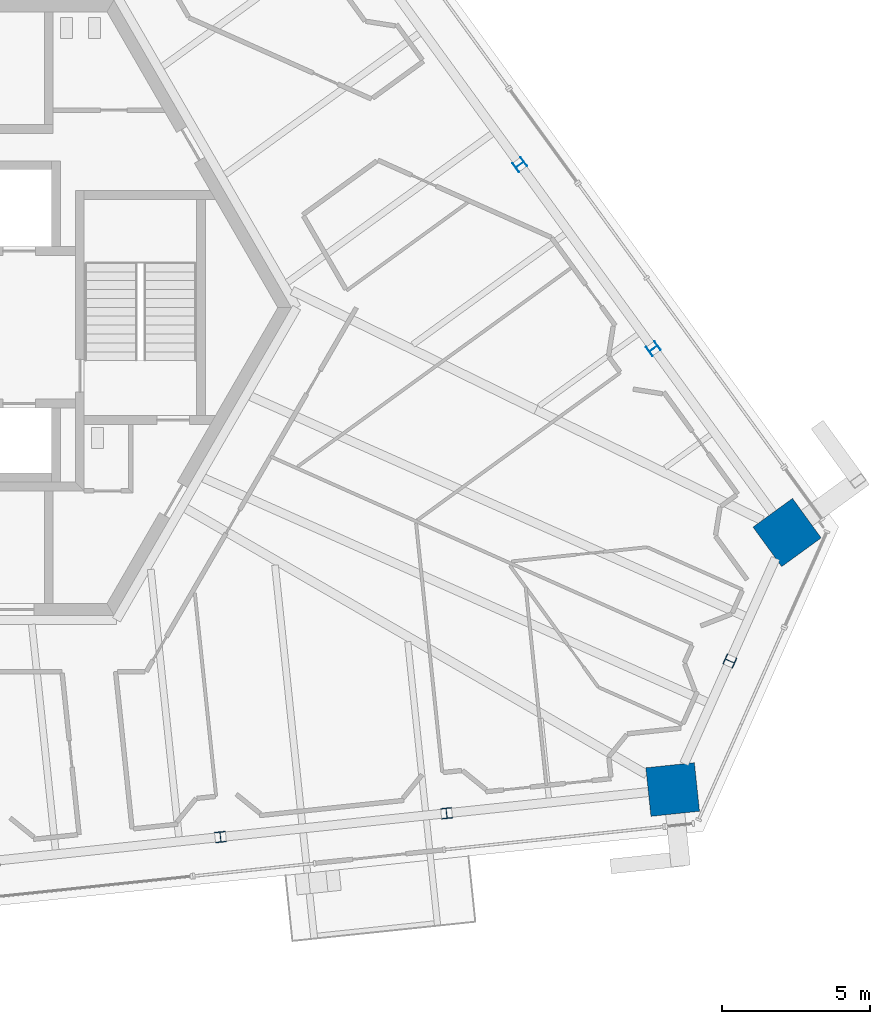
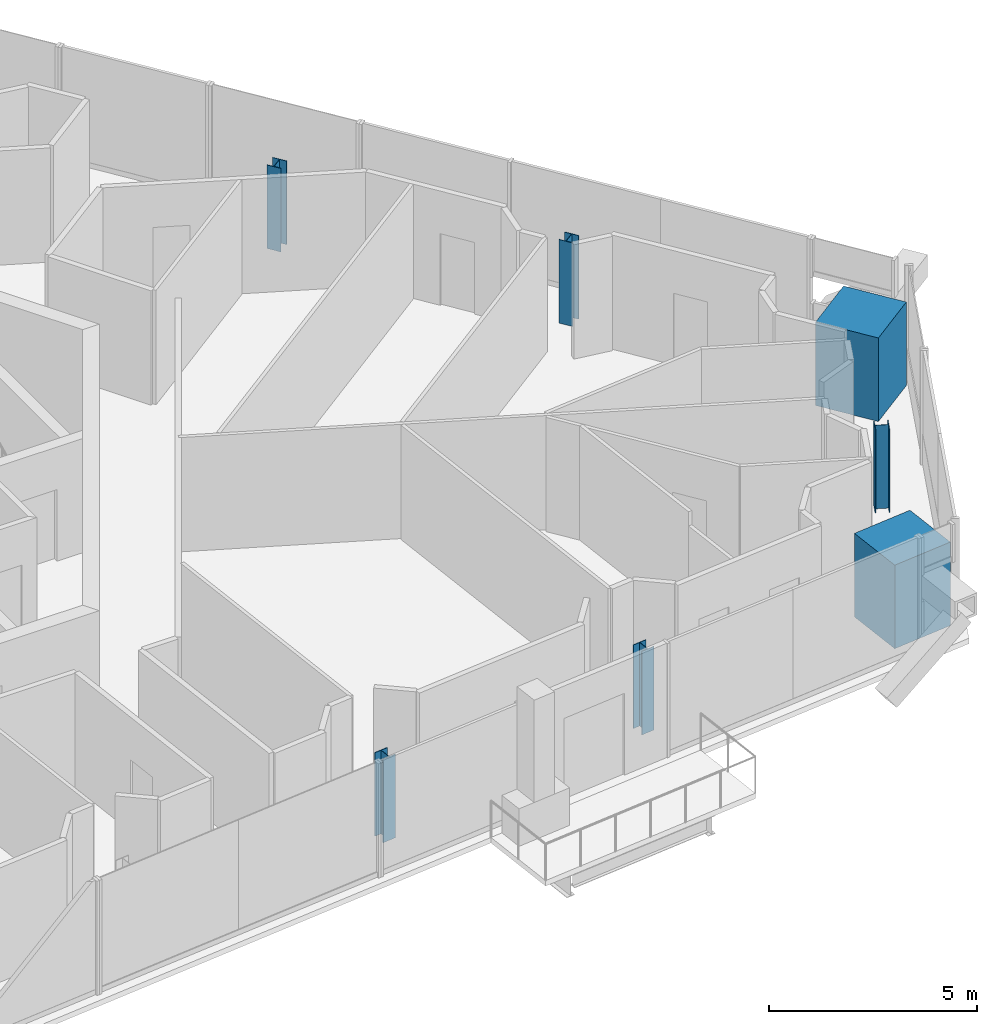
# One storey, part 2 of 26: 7 columns.
"""IFC4 building model written with IfcOpenShell, lengths in metres."""

from ifc_helpers import new_model, si_unit, direction, frame, origin, origin_2d, place, context, subcontext, project, spatial, rectangle, i_section, extrude, source, transform, mapped, material, material_profile, profile_set, type_object, element, save


model = new_model("IFC4")

# Units and contexts
model_context = context("Model", 3, precision=1e-05, world=origin(), true_north=direction((0.0, 1.0)))
body_context = subcontext(model_context, "Body", "Model", "MODEL_VIEW")
ifc_project = project(units=[si_unit("LENGTHUNIT", "METRE"), si_unit("AREAUNIT", "SQUARE_METRE"), si_unit("VOLUMEUNIT", "CUBIC_METRE"), si_unit("PLANEANGLEUNIT", "RADIAN"), si_unit("MASSUNIT", "GRAM", prefix="KILO")], contexts=[model_context])

# Site, building, storey
site_placement = place(None, origin())
site = spatial("IfcSite", under=ifc_project, at=site_placement, CompositionType="ELEMENT")
building_placement = place(site_placement, origin())
building = spatial("IfcBuilding", under=site, at=building_placement, Name="Triune Harvest Tower", CompositionType="ELEMENT")
storey_placement = place(building_placement, frame((0.0, 0.0, 252.10009765625)))
storey = spatial("IfcBuildingStorey", under=building, at=storey_placement, Name="L66", CompositionType="ELEMENT", Elevation=252.10009765625)

# Columns
ifc_material_1 = material(Name="Concrete 70 MPa", Category="concrete")
ifc_material_profile_1 = material_profile(ifc_material_1, rectangle(XDim=1.64990234375, YDim=1.64990234375, at=origin_2d()), Name="Composite 1650x1650")
ifc_profile_set_1 = profile_set([ifc_material_profile_1], Name="Concrete 70 MPa")
column_type_1 = type_object("IfcColumnType", Name="MC-6 Mega column Composite 1650x1650", PredefinedType="COLUMN", material=ifc_profile_set_1)
shared_shape_1 = source(origin(), body_context, "Body", "SweptSolid", [
    extrude(rectangle(XDim=1.64990234375, YDim=1.64990234375, at=origin_2d()), origin(), (0.0, 0.0, 1.0), 2.449951171875),
])
for number, where, z_axis, x_axis, name in (
    (1, (28.741455078125, -7.59521484375, 0.0), (0.0, 0.0, 1.0), (-0.587785252292, 0.809016994375, 0.0), "col/L66/M0"),
    (2, (24.8759765625, -16.27685546875, 0.0), (0.0, 0.0, 1.0), (0.99452171293, 0.104530199036, 0.0), "col/L66/M22"),
):
    element("IfcColumn", number, at=place(storey_placement, frame(where, z_axis=z_axis, x_axis=x_axis)), inside=storey, type_object=column_type_1, Name=name, PredefinedType="COLUMN", context=body_context, shape_type="MappedRepresentation", body=[
        mapped(shared_shape_1, transform((0.0, 0.0, 0.0), scale=1.0)),
    ])
ifc_material_2 = material(Name="Steel ASTM A992 Gr 50", Category="steel")
ifc_material_profile_2 = material_profile(ifc_material_2, i_section(OverallWidth=0.368408203125, OverallDepth=0.355712890625, WebThickness=0.01123046875, FlangeThickness=0.01806640625, at=origin_2d()), Name="W14x90")
ifc_profile_set_2 = profile_set([ifc_material_profile_2], Name="Steel ASTM A992 Gr 50")
column_type_2 = type_object("IfcColumnType", Name="PC-6 Perimeter column W14x90", PredefinedType="COLUMN", material=ifc_profile_set_2)
shared_shape_2 = source(origin(), body_context, "Body", "SweptSolid", [
    extrude(i_section(OverallWidth=0.368408203125, OverallDepth=0.355712890625, WebThickness=0.01123046875, FlangeThickness=0.01806640625, at=origin_2d()), origin(), (0.0, 0.0, 1.0), 2.449951171875),
])
for number, where, z_axis, x_axis, name in (
    (3, (24.2275390625, -1.38232421875, 0.0), (0.0, 0.0, 1.0), (-0.587785252292, 0.809016994375, 0.0), "col/L66/P1"),
    (4, (19.713623046875, 4.83056640625, 0.0), (0.0, 0.0, 1.0), (-0.587785252292, 0.809016994375, 0.0), "col/L66/P2"),
    (5, (9.601318359375, -17.88232421875, 0.0), (0.0, 0.0, 1.0), (0.99452171293, 0.104530199036, 0.0), "col/L66/P20"),
    (6, (17.238525390625, -17.07958984375, 0.0), (0.0, 0.0, 1.0), (0.99452171293, 0.104530199036, 0.0), "col/L66/P21"),
    (7, (26.80859375, -11.93603515625, 0.0), (0.0, 0.0, 1.0), (0.406741426383, 0.913543327962, 0.0), "col/L66/P23"),
):
    element("IfcColumn", number, at=place(storey_placement, frame(where, z_axis=z_axis, x_axis=x_axis)), inside=storey, type_object=column_type_2, Name=name, PredefinedType="COLUMN", context=body_context, shape_type="MappedRepresentation", body=[
        mapped(shared_shape_2, transform((0.0, 0.0, 0.0), scale=1.0)),
    ])

save(model, "model.ifc")
